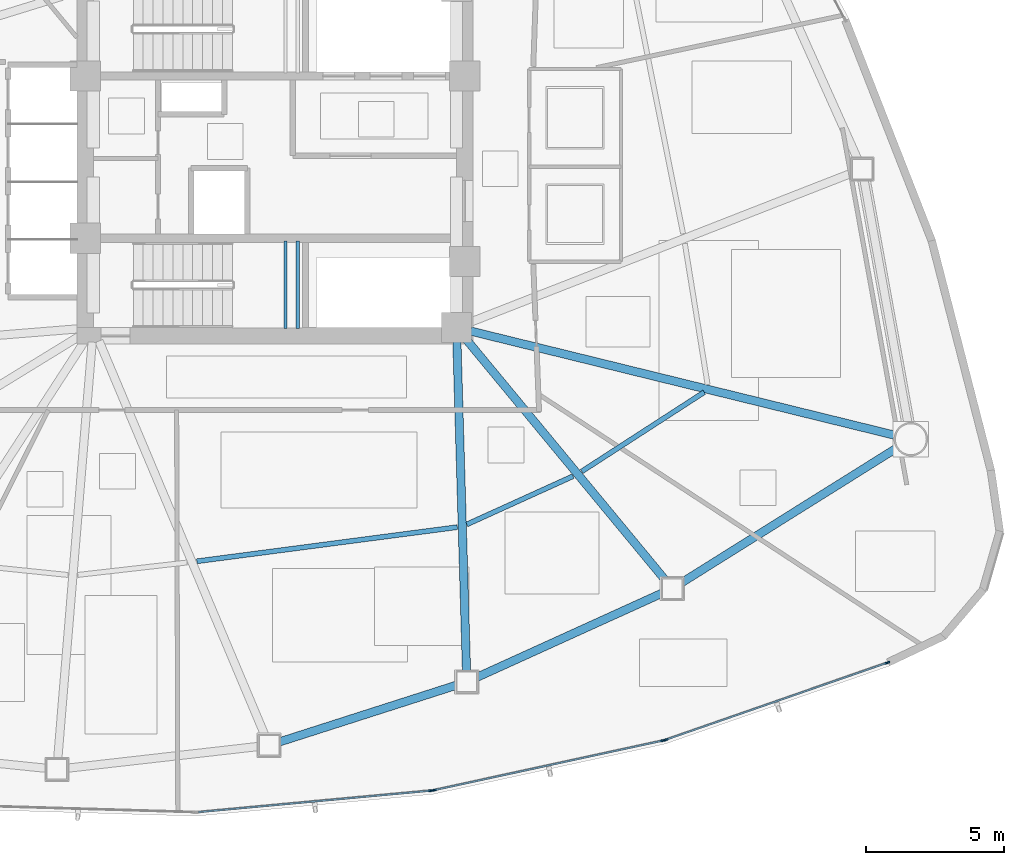
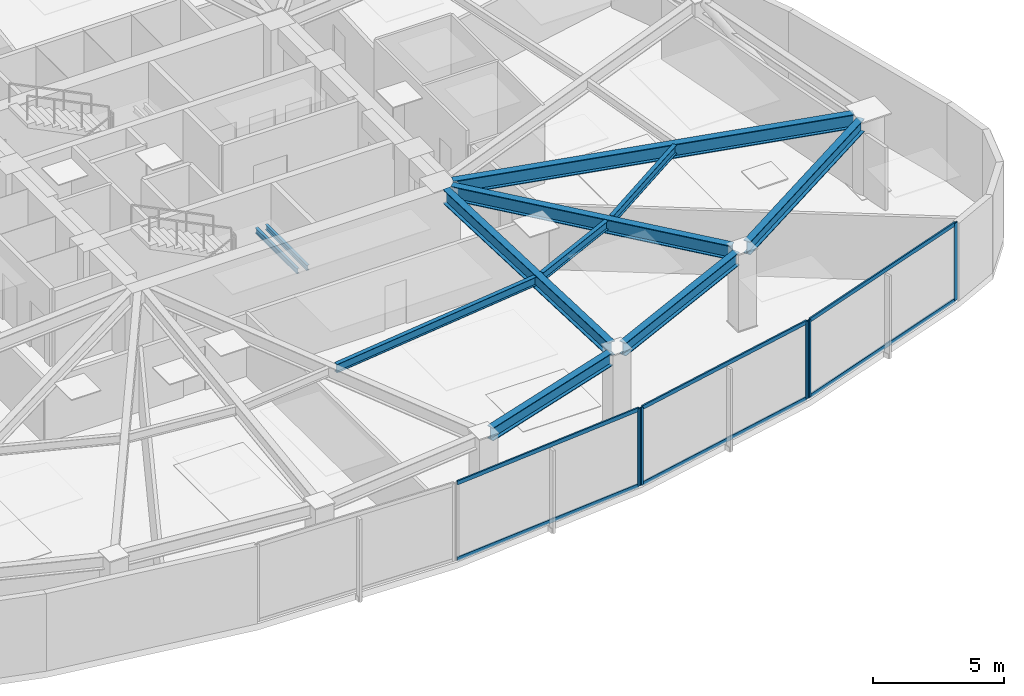
# One storey, part 5 of 16: 11 beams, 11 members, 3 elements without a shape of their own.
"""IFC4 building model written with IfcOpenShell, lengths in metres."""

from ifc_helpers import new_model, si_unit, direction, frame, origin, origin_2d, place, context, subcontext, project, spatial, hollow_rectangle, i_section, extrude, source, transform, mapped, material, layer, layer_set, material_profile, profile_set, type_object, type_shapes, element, aggregate, save


model = new_model("IFC4")

# Units and contexts
model_context = context("Model", 3, precision=1e-05, world=origin(), true_north=direction((0.0, 1.0)))
body_context = subcontext(model_context, "Body", "Model", "MODEL_VIEW")
ifc_project = project(units=[si_unit("LENGTHUNIT", "METRE"), si_unit("AREAUNIT", "SQUARE_METRE"), si_unit("VOLUMEUNIT", "CUBIC_METRE"), si_unit("PLANEANGLEUNIT", "RADIAN"), si_unit("MASSUNIT", "GRAM", prefix="KILO")], contexts=[model_context])

# Site, building, storey
site_placement = place(None, origin())
site = spatial("IfcSite", under=ifc_project, at=site_placement, CompositionType="ELEMENT")
building_placement = place(site_placement, origin())
building = spatial("IfcBuilding", under=site, at=building_placement, Name="Tavelor Broadcast Tower", CompositionType="ELEMENT")
storey_placement = place(building_placement, frame((0.0, 0.0, 31.5)))
storey = spatial("IfcBuildingStorey", under=building, at=storey_placement, Name="L06", CompositionType="ELEMENT", Elevation=31.5)

# Beams
ifc_material_1 = material(Name="Steel S355", Category="steel")
ifc_material_profile_1 = material_profile(ifc_material_1, i_section(OverallWidth=0.179931640625, OverallDepth=0.39990234375, WebThickness=0.008544921875, FlangeThickness=0.013427734375, at=origin_2d()), Name="IPE 400")
ifc_profile_set_1 = profile_set([ifc_material_profile_1], Name="Steel S355")
beam_type_1 = type_object("IfcBeamType", Name="Composite Floor Joist T1 IPE 400", PredefinedType="JOIST", material=ifc_profile_set_1)
beam_1_placement = place(storey_placement, frame((47.16259765625, 30.3056640625, 3.39990234375), z_axis=(0.991514230948, 0.129998191635, 0.0), x_axis=(-0.129998191635, 0.991514230948, 0.0)))
element("IfcBeam", 1, at=beam_1_placement, inside=storey, type_object=beam_type_1, Name="L06 Secondary Composite Floor Joist 10", PredefinedType="JOIST", context=body_context, shape_type="SweptSolid", body=[
    extrude(i_section(OverallWidth=0.179931640625, OverallDepth=0.39990234375, WebThickness=0.008544921875, FlangeThickness=0.013427734375, at=origin_2d()), origin(), (0.0, 0.0, 1.0), 9.5498046875),
])
beam_2_placement = place(storey_placement, frame((56.9755859375, 31.6455078125, 3.39990234375), z_axis=(0.910480737696, 0.413551479607, 0.0), x_axis=(-0.413551479607, 0.910480737696, 0.0)))
element("IfcBeam", 2, at=beam_2_placement, inside=storey, type_object=beam_type_1, Name="L06 Secondary Composite Floor Joist 11", PredefinedType="JOIST", context=body_context, shape_type="SweptSolid", body=[
    extrude(i_section(OverallWidth=0.179931640625, OverallDepth=0.39990234375, WebThickness=0.008544921875, FlangeThickness=0.013427734375, at=origin_2d()), origin(), (0.0, 0.0, 1.0), 4.242919921875),
])
beam_3_placement = place(storey_placement, frame((61.1552734375, 33.573486328125, 3.39990234375), z_axis=(0.839582514508, 0.543232179949, 0.0), x_axis=(-0.543232179949, 0.839582514508, 0.0)))
element("IfcBeam", 3, at=beam_3_placement, inside=storey, type_object=beam_type_1, Name="L06 Secondary Composite Floor Joist 12", PredefinedType="JOIST", context=body_context, shape_type="SweptSolid", body=[
    extrude(i_section(OverallWidth=0.179931640625, OverallDepth=0.39990234375, WebThickness=0.008544921875, FlangeThickness=0.013427734375, at=origin_2d()), origin(), (0.0, 0.0, 1.0), 5.300537109375),
])
ifc_material_profile_2 = material_profile(ifc_material_1, i_section(OverallWidth=0.300048828125, OverallDepth=0.60009765625, WebThickness=0.015380859375, FlangeThickness=0.030029296875, at=origin_2d()), Name="HEB 600")
ifc_profile_set_2 = profile_set([ifc_material_profile_2], Name="Steel S355")
beam_type_2 = type_object("IfcBeamType", Name="Perimeter Spandrel Beam T1 HEB 600", PredefinedType="SPANDREL", material=ifc_profile_set_2)
beam_4_placement = place(storey_placement, frame((50.15234375, 23.735107421875, 3.300048828125), z_axis=(0.952305764648, 0.305145425362, 0.0), x_axis=(-0.305145425362, 0.952305764648, 0.0)))
element("IfcBeam", 4, at=beam_4_placement, inside=storey, type_object=beam_type_2, Name="L06 Framed-Tube Ring Spandrel 10", PredefinedType="SPANDREL", context=body_context, shape_type="SweptSolid", body=[
    extrude(i_section(OverallWidth=0.300048828125, OverallDepth=0.60009765625, WebThickness=0.015380859375, FlangeThickness=0.030029296875, at=origin_2d()), origin(), (0.0, 0.0, 1.0), 6.78076171875),
])
beam_5_placement = place(storey_placement, frame((57.324951171875, 26.080322265625, 3.300048828125), z_axis=(0.910424944341, 0.413674293039, 0.0), x_axis=(-0.413674293039, 0.910424944341, 0.0)))
element("IfcBeam", 5, at=beam_5_placement, inside=storey, type_object=beam_type_2, Name="L06 Framed-Tube Ring Spandrel 11", PredefinedType="SPANDREL", context=body_context, shape_type="SweptSolid", body=[
    extrude(i_section(OverallWidth=0.300048828125, OverallDepth=0.60009765625, WebThickness=0.015380859375, FlangeThickness=0.030029296875, at=origin_2d()), origin(), (0.0, 0.0, 1.0), 7.43505859375),
])
beam_6_placement = place(storey_placement, frame((64.76904296875, 29.518798828125, 3.300048828125), z_axis=(0.847667977469, 0.530527096361, 0.0), x_axis=(-0.530527096361, 0.847667977469, 0.0)))
element("IfcBeam", 6, at=beam_6_placement, inside=storey, type_object=beam_type_2, Name="L06 Framed-Tube Ring Spandrel 12", PredefinedType="SPANDREL", context=body_context, shape_type="SweptSolid", body=[
    extrude(i_section(OverallWidth=0.300048828125, OverallDepth=0.60009765625, WebThickness=0.015380859375, FlangeThickness=0.030029296875, at=origin_2d()), origin(), (0.0, 0.0, 1.0), 9.263916015625),
])
ifc_material_profile_3 = material_profile(ifc_material_1, i_section(OverallWidth=0.300048828125, OverallDepth=0.64990234375, WebThickness=0.01611328125, FlangeThickness=0.031005859375, at=origin_2d()), Name="HEB 650")
ifc_profile_set_3 = profile_set([ifc_material_profile_3], Name="Steel S355")
beam_type_3 = type_object("IfcBeamType", Name="Radial Floor Girder T1 HEB 650", PredefinedType="BEAM", material=ifc_profile_set_3)
beam_7_placement = place(storey_placement, frame((56.615478515625, 38.272216796875, 3.27490234375), z_axis=(0.02912098859, -0.999575894079, 0.0), x_axis=(0.999575894079, 0.02912098859, 0.0)))
element("IfcBeam", 7, at=beam_7_placement, inside=storey, type_object=beam_type_3, Name="L06 Radial Primary Floor Girder 11", PredefinedType="BEAM", context=body_context, shape_type="SweptSolid", body=[
    extrude(i_section(OverallWidth=0.300048828125, OverallDepth=0.64990234375, WebThickness=0.01611328125, FlangeThickness=0.031005859375, at=origin_2d()), origin(), (0.0, 0.0, 1.0), 11.971923828125),
])
beam_8_placement = place(storey_placement, frame((56.9365234375, 38.39306640625, 3.27490234375), z_axis=(0.63726338108, -0.770646081632, 0.0), x_axis=(0.770646081632, 0.63726338108, 0.0)))
element("IfcBeam", 8, at=beam_8_placement, inside=storey, type_object=beam_type_3, Name="L06 Radial Primary Floor Girder 12", PredefinedType="BEAM", context=body_context, shape_type="SweptSolid", body=[
    extrude(i_section(OverallWidth=0.300048828125, OverallDepth=0.64990234375, WebThickness=0.01611328125, FlangeThickness=0.031005859375, at=origin_2d()), origin(), (0.0, 0.0, 1.0), 11.39599609375),
])
beam_9_placement = place(storey_placement, frame((57.11279296875, 38.674072265625, 3.27490234375), z_axis=(0.971150402203, -0.23846780978, 0.0), x_axis=(0.23846780978, 0.971150402203, 0.0)))
element("IfcBeam", 9, at=beam_9_placement, inside=storey, type_object=beam_type_3, Name="L06 Radial Primary Floor Girder 13", PredefinedType="BEAM", context=body_context, shape_type="SweptSolid", body=[
    extrude(i_section(OverallWidth=0.300048828125, OverallDepth=0.64990234375, WebThickness=0.01611328125, FlangeThickness=0.031005859375, at=origin_2d()), origin(), (0.0, 0.0, 1.0), 15.895263671875),
])
ifc_material_profile_4 = material_profile(ifc_material_1, i_section(OverallWidth=0.1201171875, OverallDepth=0.239990234375, WebThickness=0.006103515625, FlangeThickness=0.009765625, at=origin_2d()), Name="IPE 240")
ifc_profile_set_4 = profile_set([ifc_material_profile_4], Name="Steel S355")
beam_type_4 = type_object("IfcBeamType", Name="Stairwell Landing Support Trimmer Beam IPE240", PredefinedType="BEAM", material=ifc_profile_set_4)
for number, where, z_axis, x_axis, name in (
    (10, (50.385009765625, 38.760009765625, 1.635009765625), (0.0, 1.0, 0.0), (-1.0, 0.0, 0.0), "L06 Stair Landing Support Beam 251"),
    (11, (50.824951171875, 38.760009765625, 1.635009765625), (0.0, 1.0, 0.0), (-1.0, 0.0, 0.0), "L06 Stair Landing Support Beam 252"),
):
    element("IfcBeam", number, at=place(storey_placement, frame(where, z_axis=z_axis, x_axis=x_axis)), inside=storey, type_object=beam_type_4, Name=name, PredefinedType="BEAM", context=body_context, shape_type="SweptSolid", body=[
        extrude(i_section(OverallWidth=0.1201171875, OverallDepth=0.239990234375, WebThickness=0.006103515625, FlangeThickness=0.009765625, at=origin_2d()), origin(), (0.0, 0.0, 1.0), 3.179931640625),
    ])

# Curtain wall, member
ifc_material_2 = material(Name="Architectural Anodized Aluminium", Category="aluminium")
ifc_layer = layer(ifc_material_2, 0.179931640625)
ifc_layer_set = layer_set([ifc_layer], Name="Architectural Anodized Aluminium")
curtain_wall_type = type_object("IfcCurtainWallType", Name="Tower Low-Zone Unitised Curtain Wall CW02", PredefinedType="NOTDEFINED", material=ifc_layer_set)
curtain_wall_1_placement = place(storey_placement, origin())
curtain_wall_1 = element("IfcCurtainWall", 12, at=curtain_wall_1_placement, inside=storey, type_object=curtain_wall_type, Name="L06 Curtain Wall CW02 Run 30", PredefinedType="NOTDEFINED")
ifc_material_profile_5 = material_profile(ifc_material_2, hollow_rectangle(XDim=0.06494140625, YDim=0.179931640625, WallThickness=0.02197265625, at=origin_2d()), Name="RHS 65x180x22")
ifc_profile_set_5 = profile_set([ifc_material_profile_5], Name="Architectural Anodized Aluminium")
member_type_1 = type_object("IfcMemberType", Name="CW02 Extruded Aluminium Mullion 65x180", PredefinedType="MULLION", material=ifc_profile_set_5)
shared_shape_1 = source(origin(), body_context, "Body", "SweptSolid", [
    extrude(hollow_rectangle(XDim=0.06494140625, YDim=0.179931640625, WallThickness=0.02197265625, at=origin_2d()), origin(), (0.0, 0.0, 1.0), 3.60009765625),
])
type_shapes(member_type_1, [shared_shape_1])
member_1_placement = place(storey_placement, frame((55.682861328125, 21.969482421875, 0.0), z_axis=(0.0, 0.0, 1.0), x_axis=(-0.091928825014, 0.995765580411, 0.0)))
member_1 = element("IfcMember", 13, at=member_1_placement, type_object=member_type_1, Name="CW02 mullion 2", PredefinedType="MULLION", context=body_context, shape_type="MappedRepresentation", body=[
    mapped(shared_shape_1, transform((0.0, 0.0, 0.0), scale=1.0)),
])

# Curtain wall, members
curtain_wall_2_placement = place(storey_placement, origin())
curtain_wall_2 = element("IfcCurtainWall", 14, at=curtain_wall_2_placement, inside=storey, type_object=curtain_wall_type, Name="L06 Curtain Wall CW02 Run 31", PredefinedType="NOTDEFINED")
member_2_placement = place(storey_placement, frame((55.776611328125, 21.98388671875, 0.0), z_axis=(0.0, 0.0, 1.0), x_axis=(-0.211767805322, 0.97732000728, 0.0)))
member_2 = element("IfcMember", 15, at=member_2_placement, type_object=member_type_1, Name="CW02 mullion 1", PredefinedType="MULLION", context=body_context, shape_type="MappedRepresentation", body=[
    mapped(shared_shape_1, transform((0.0, 0.0, 0.0), scale=1.0)),
])
member_3_placement = place(storey_placement, frame((64.1064453125, 23.788818359375, 0.0), z_axis=(0.0, 0.0, 1.0), x_axis=(-0.211767805322, 0.97732000728, 0.0)))
member_3 = element("IfcMember", 16, at=member_3_placement, type_object=member_type_1, Name="CW02 mullion 2", PredefinedType="MULLION", context=body_context, shape_type="MappedRepresentation", body=[
    mapped(shared_shape_1, transform((0.0, 0.0, 0.0), scale=1.0)),
])

curtain_wall_3_placement = place(storey_placement, origin())
curtain_wall_3 = element("IfcCurtainWall", 17, at=curtain_wall_3_placement, inside=storey, type_object=curtain_wall_type, Name="L06 Curtain Wall CW02 Run 32", PredefinedType="NOTDEFINED")
member_4_placement = place(storey_placement, frame((64.19775390625, 23.814697265625, 0.0), z_axis=(0.0, 0.0, 1.0), x_axis=(-0.328471038384, 0.944514042745, 0.0)))
member_4 = element("IfcMember", 18, at=member_4_placement, type_object=member_type_1, Name="CW02 mullion 1", PredefinedType="MULLION", context=body_context, shape_type="MappedRepresentation", body=[
    mapped(shared_shape_1, transform((0.0, 0.0, 0.0), scale=1.0)),
])
member_5_placement = place(storey_placement, frame((72.262939453125, 26.619384765625, 0.0), z_axis=(0.0, 0.0, 1.0), x_axis=(-0.328471038384, 0.944514042745, 0.0)))
member_5 = element("IfcMember", 19, at=member_5_placement, type_object=member_type_1, Name="CW02 mullion 2", PredefinedType="MULLION", context=body_context, shape_type="MappedRepresentation", body=[
    mapped(shared_shape_1, transform((0.0, 0.0, 0.0), scale=1.0)),
])

# Member
ifc_material_profile_6 = material_profile(ifc_material_2, hollow_rectangle(XDim=0.06494140625, YDim=0.179931640625, WallThickness=0.02197265625, at=origin_2d()), Name="RHS 65x180x22")
ifc_profile_set_6 = profile_set([ifc_material_profile_6], Name="Architectural Anodized Aluminium")
member_type_2 = type_object("IfcMemberType", Name="CW02 Extruded Aluminium Transom 65x180", PredefinedType="USERDEFINED", material=ifc_profile_set_6)
shared_shape_2 = source(origin(), body_context, "Body", "SweptSolid", [
    extrude(hollow_rectangle(XDim=0.06494140625, YDim=0.179931640625, WallThickness=0.02197265625, at=origin_2d()), origin(), (0.0, 0.0, 1.0), 8.458251953125),
])
member_6_placement = place(storey_placement, frame((47.22802734375, 21.18896484375, 0.032470703125), z_axis=(0.995767816993, 0.091904595319, 0.0), x_axis=(-0.091904595319, 0.995767816993, 0.0)))
member_6 = element("IfcMember", 20, at=member_6_placement, type_object=member_type_2, Name="CW02 transom 1.1", ObjectType="TRANSOM", PredefinedType="USERDEFINED", context=body_context, shape_type="MappedRepresentation", body=[
    mapped(shared_shape_2, transform((0.0, 0.0, 0.0), scale=1.0)),
])

member_7_placement = place(storey_placement, frame((47.22802734375, 21.18896484375, 3.5673828125), z_axis=(0.995767816993, 0.091904595319, 0.0), x_axis=(-0.091904595319, 0.995767816993, 0.0)))
member_7 = element("IfcMember", 21, at=member_7_placement, type_object=member_type_2, Name="CW02 transom 1.2", ObjectType="TRANSOM", PredefinedType="USERDEFINED", context=body_context, shape_type="MappedRepresentation", body=[
    mapped(shared_shape_2, transform((0.0, 0.0, 0.0), scale=1.0)),
])

aggregate(curtain_wall_1, [member_1, member_6, member_7])

member_8_placement = place(storey_placement, frame((55.808349609375, 21.99072265625, 0.032470703125), z_axis=(0.977317863116, 0.211777700513, 0.0), x_axis=(-0.211777700513, 0.977317863116, 0.0)))
member_8 = element("IfcMember", 22, at=member_8_placement, type_object=member_type_2, Name="CW02 transom 1.1", ObjectType="TRANSOM", PredefinedType="USERDEFINED", context=body_context, shape_type="MappedRepresentation", body=[
    mapped(shared_shape_2, transform((0.0, 0.0, 0.0), scale=1.0)),
])

member_9_placement = place(storey_placement, frame((55.808349609375, 21.99072265625, 3.5673828125), z_axis=(0.977317863116, 0.211777700513, 0.0), x_axis=(-0.211777700513, 0.977317863116, 0.0)))
member_9 = element("IfcMember", 23, at=member_9_placement, type_object=member_type_2, Name="CW02 transom 1.2", ObjectType="TRANSOM", PredefinedType="USERDEFINED", context=body_context, shape_type="MappedRepresentation", body=[
    mapped(shared_shape_2, transform((0.0, 0.0, 0.0), scale=1.0)),
])

aggregate(curtain_wall_2, [member_2, member_3, member_8, member_9])

shared_shape_3 = source(origin(), body_context, "Body", "SweptSolid", [
    extrude(hollow_rectangle(XDim=0.06494140625, YDim=0.179931640625, WallThickness=0.02197265625, at=origin_2d()), origin(), (0.0, 0.0, 1.0), 8.474365234375),
])
type_shapes(member_type_2, [shared_shape_2, shared_shape_3])
member_10_placement = place(storey_placement, frame((64.228271484375, 23.8251953125, 0.032470703125), z_axis=(0.944518948226, 0.3284569324, 0.0), x_axis=(-0.3284569324, 0.944518948226, 0.0)))
member_10 = element("IfcMember", 24, at=member_10_placement, type_object=member_type_2, Name="CW02 transom 1.1", ObjectType="TRANSOM", PredefinedType="USERDEFINED", context=body_context, shape_type="MappedRepresentation", body=[
    mapped(shared_shape_3, transform((0.0, 0.0, 0.0), scale=1.0)),
])

member_11_placement = place(storey_placement, frame((64.228271484375, 23.8251953125, 3.5673828125), z_axis=(0.944518948226, 0.3284569324, 0.0), x_axis=(-0.3284569324, 0.944518948226, 0.0)))
member_11 = element("IfcMember", 25, at=member_11_placement, type_object=member_type_2, Name="CW02 transom 1.2", ObjectType="TRANSOM", PredefinedType="USERDEFINED", context=body_context, shape_type="MappedRepresentation", body=[
    mapped(shared_shape_3, transform((0.0, 0.0, 0.0), scale=1.0)),
])

aggregate(curtain_wall_3, [member_4, member_5, member_10, member_11])

save(model, "model.ifc")
